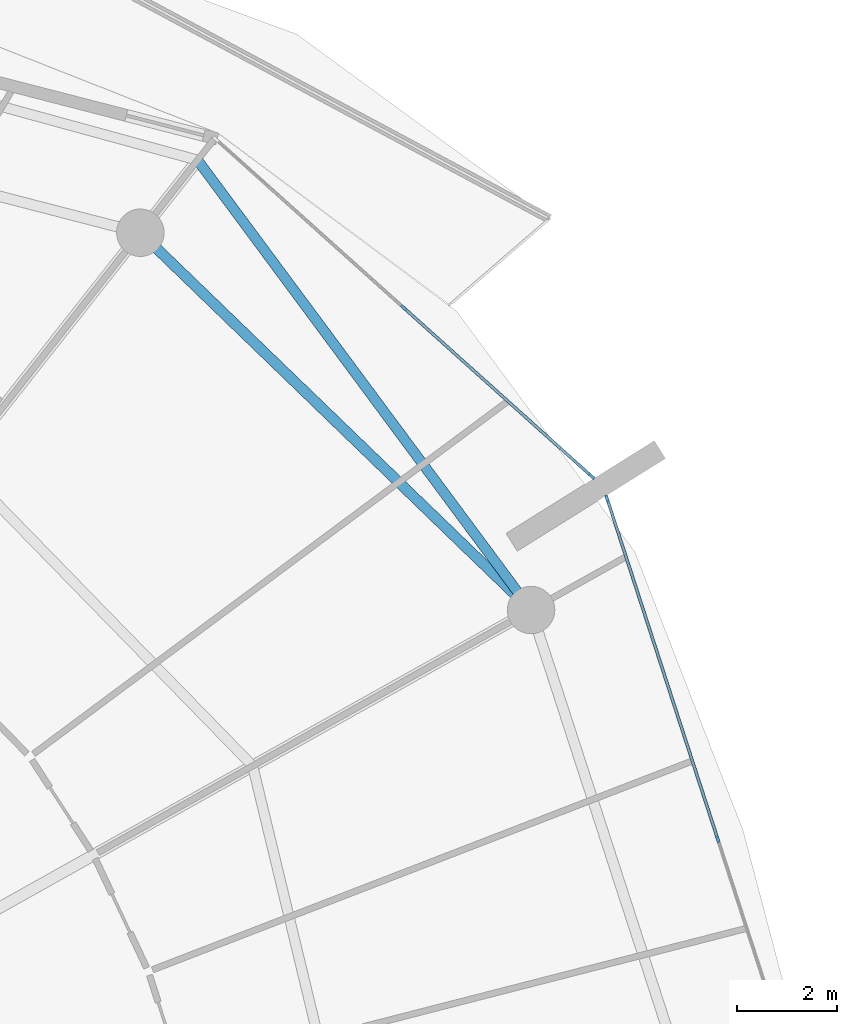
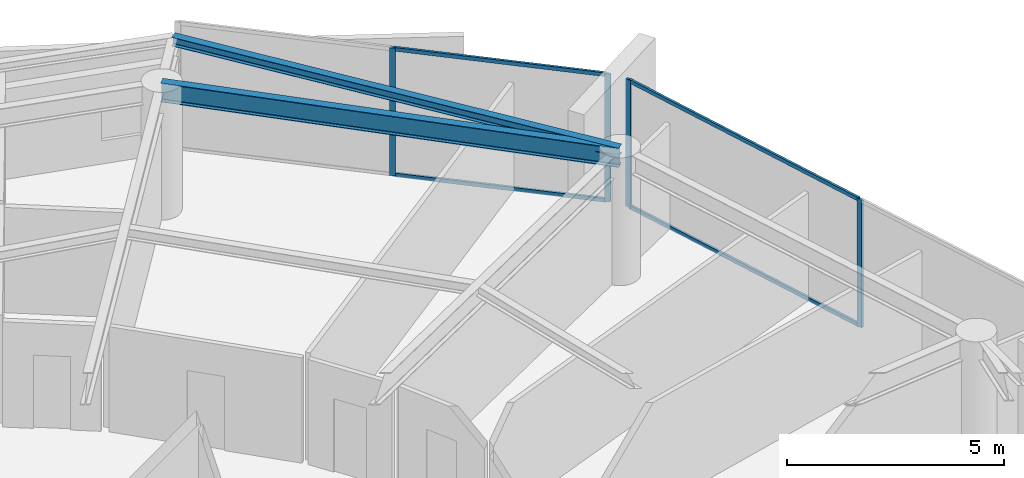
# One storey, part 15 of 30: 8 members, 2 beams, 2 elements without a shape of their own.
"""IFC4 building model written with IfcOpenShell, lengths in metres."""

from ifc_helpers import new_model, si_unit, direction, frame, origin, origin_2d, place, context, subcontext, project, spatial, rectangle, i_section, extrude, material, layer, layer_set, material_profile, profile_set, type_object, element, aggregate, save


model = new_model("IFC4")

# Units and contexts
model_context = context("Model", 3, precision=1e-05, world=origin(), true_north=direction((0.0, 1.0)))
body_context = subcontext(model_context, "Body", "Model", "MODEL_VIEW")
ifc_project = project(units=[si_unit("LENGTHUNIT", "METRE"), si_unit("AREAUNIT", "SQUARE_METRE"), si_unit("VOLUMEUNIT", "CUBIC_METRE"), si_unit("PLANEANGLEUNIT", "RADIAN"), si_unit("MASSUNIT", "GRAM", prefix="KILO")], contexts=[model_context])

# Site, building, storey
site_placement = place(None, origin())
site = spatial("IfcSite", under=ifc_project, at=site_placement, CompositionType="ELEMENT")
building_placement = place(site_placement, origin())
building = spatial("IfcBuilding", under=site, at=building_placement, Name="Kazma Halo Residences", CompositionType="ELEMENT")
storey_placement = place(building_placement, frame((0.0, 0.0, 294.449951171875)))
storey = spatial("IfcBuildingStorey", under=building, at=storey_placement, Name="L74", CompositionType="ELEMENT", Elevation=294.449951171875)

# Beams
ifc_material_1 = material(Name="Steel S355", Category="steel")
ifc_material_profile_1 = material_profile(ifc_material_1, i_section(OverallWidth=0.201904296875, OverallDepth=0.2470703125, WebThickness=0.00732421875, FlangeThickness=0.010986328125, FilletRadius=0.011962890625, at=origin_2d()), Name="W250x49.1")
ifc_profile_set_1 = profile_set([ifc_material_profile_1], Name="Steel S355")
beam_type_1 = type_object("IfcBeamType", Name="BM-BAL-CANT", PredefinedType="BEAM", material=ifc_profile_set_1)
beam_1_placement = place(storey_placement, frame((72.67041015625, 55.81591796875, 3.466552734375), z_axis=(-0.595556062515, 0.803313747176, 0.0), x_axis=(-0.803313747176, -0.595556062515, 0.0)))
element("IfcBeam", 1, at=beam_1_placement, inside=storey, type_object=beam_type_1, Name="L74 wave-balcony lead tie beam 01", PredefinedType="BEAM", context=body_context, shape_type="SweptSolid", body=[
    extrude(i_section(OverallWidth=0.201904296875, OverallDepth=0.2470703125, WebThickness=0.00732421875, FlangeThickness=0.010986328125, FilletRadius=0.011962890625, at=origin_2d()), origin(), (0.0, 0.0, 1.0), 11.213134765625),
])
ifc_material_profile_2 = material_profile(ifc_material_1, i_section(OverallWidth=0.208984375, OverallDepth=0.532958984375, WebThickness=0.01025390625, FlangeThickness=0.015625, FilletRadius=0.01611328125, at=origin_2d()), Name="W530x92")
ifc_profile_set_2 = profile_set([ifc_material_profile_2], Name="Steel S355")
beam_type_2 = type_object("IfcBeamType", Name="BM-SPN-W530", PredefinedType="BEAM", material=ifc_profile_set_2)
beam_2_placement = place(storey_placement, frame((72.67041015625, 55.81591796875, 3.323486328125), z_axis=(-0.719345757929, 0.694652201141, 0.0), x_axis=(-0.694652201141, -0.719345757929, 0.0)))
element("IfcBeam", 2, at=beam_2_placement, inside=storey, type_object=beam_type_2, Name="L74 perimeter ring beam 01", PredefinedType="BEAM", context=body_context, shape_type="SweptSolid", body=[
    extrude(i_section(OverallWidth=0.208984375, OverallDepth=0.532958984375, WebThickness=0.01025390625, FlangeThickness=0.015625, FilletRadius=0.01611328125, at=origin_2d()), origin(), (0.0, 0.0, 1.0), 10.87548828125),
])

# Curtain wall, members
ifc_material_2 = material(Name="Aluminium AW-6063 T6 and Triple-Silver Low-E Glass", Category="aluminium")
ifc_layer = layer(ifc_material_2, 0.139892578125)
ifc_layer_set = layer_set([ifc_layer], Name="Aluminium AW-6063 T6 and Triple-Silver Low-E Glass")
curtain_wall_type = type_object("IfcCurtainWallType", Name="CW-SYS-5", PredefinedType="NOTDEFINED", material=ifc_layer_set)
curtain_wall_1_placement = place(storey_placement, origin())
curtain_wall_1 = element("IfcCurtainWall", 3, at=curtain_wall_1_placement, inside=storey, type_object=curtain_wall_type, Name="L74 unitised curtain wall B01", PredefinedType="NOTDEFINED")
ifc_material_3 = material(Name="Aluminium AW-6063 T6", Category="aluminium")
ifc_material_profile_3 = material_profile(ifc_material_3, rectangle(XDim=0.06005859375, YDim=0.139892578125, at=origin_2d()), Name="CWM-60x140")
ifc_profile_set_3 = profile_set([ifc_material_profile_3], Name="Aluminium AW-6063 T6")
member_type_1 = type_object("IfcMemberType", Name="CW-SYS-5-MUL", PredefinedType="MULLION", material=ifc_profile_set_3)
member_1_placement = place(storey_placement, frame((73.88330078125, 58.491943359375, 0.0), z_axis=(0.0, 0.0, 1.0), x_axis=(-0.667804826958, -0.744336424671, 0.0)))
member_1 = element("IfcMember", 4, at=member_1_placement, type_object=member_type_1, Name="CWS-5 mullion 1", PredefinedType="MULLION", context=body_context, shape_type="SweptSolid", body=[
    extrude(rectangle(XDim=0.06005859375, YDim=0.139892578125, at=origin_2d()), origin(), (0.0, 0.0, 1.0), 3.590087890625),
])
member_2_placement = place(storey_placement, frame((70.121826171875, 61.86669921875, 0.0), z_axis=(0.0, 0.0, 1.0), x_axis=(-0.667804826958, -0.744336424671, 0.0)))
member_2 = element("IfcMember", 5, at=member_2_placement, type_object=member_type_1, Name="CWS-5 mullion 2", PredefinedType="MULLION", context=body_context, shape_type="SweptSolid", body=[
    extrude(rectangle(XDim=0.06005859375, YDim=0.139892578125, at=origin_2d()), origin(), (0.0, 0.0, 1.0), 3.590087890625),
])

curtain_wall_2_placement = place(storey_placement, origin())
curtain_wall_2 = element("IfcCurtainWall", 6, at=curtain_wall_2_placement, inside=storey, type_object=curtain_wall_type, Name="L74 unitised curtain wall B16", PredefinedType="NOTDEFINED")
member_3_placement = place(storey_placement, frame((76.40771484375, 51.230224609375, 0.0), z_axis=(0.0, 0.0, 1.0), x_axis=(-0.951058464359, -0.309010998786, 0.0)))
member_3 = element("IfcMember", 7, at=member_3_placement, type_object=member_type_1, Name="CWS-5 mullion 2", PredefinedType="MULLION", context=body_context, shape_type="SweptSolid", body=[
    extrude(rectangle(XDim=0.06005859375, YDim=0.139892578125, at=origin_2d()), origin(), (0.0, 0.0, 1.0), 3.590087890625),
])
member_4_placement = place(storey_placement, frame((74.1923828125, 58.0478515625, 0.0), z_axis=(0.0, 0.0, 1.0), x_axis=(-0.951058464359, -0.309010998786, 0.0)))
member_4 = element("IfcMember", 8, at=member_4_placement, type_object=member_type_1, Name="CWS-5 mullion 3", PredefinedType="MULLION", context=body_context, shape_type="SweptSolid", body=[
    extrude(rectangle(XDim=0.06005859375, YDim=0.139892578125, at=origin_2d()), origin(), (0.0, 0.0, 1.0), 3.590087890625),
])

# Member
ifc_material_profile_4 = material_profile(ifc_material_3, rectangle(XDim=0.06005859375, YDim=0.10498046875, at=origin_2d()), Name="CWT-60x105")
ifc_profile_set_4 = profile_set([ifc_material_profile_4], Name="Aluminium AW-6063 T6")
member_type_2 = type_object("IfcMemberType", Name="CW-SYS-5-TRN", PredefinedType="USERDEFINED", material=ifc_profile_set_4)
member_5_placement = place(storey_placement, frame((73.861083984375, 58.511962890625, 0.030029296875), z_axis=(-0.744328897483, 0.667813216679, 0.0), x_axis=(-0.667813216679, -0.744328897483, 0.0)))
member_5 = element("IfcMember", 9, at=member_5_placement, type_object=member_type_2, Name="CWS-5 transom 1.1", ObjectType="TRANSOM", PredefinedType="USERDEFINED", context=body_context, shape_type="SweptSolid", body=[
    extrude(rectangle(XDim=0.06005859375, YDim=0.10498046875, at=origin_2d()), origin(), (0.0, 0.0, 1.0), 4.993408203125),
])

member_6_placement = place(storey_placement, frame((73.861083984375, 58.511962890625, 3.56005859375), z_axis=(-0.744328897483, 0.667813216679, 0.0), x_axis=(-0.667813216679, -0.744328897483, 0.0)))
member_6 = element("IfcMember", 10, at=member_6_placement, type_object=member_type_2, Name="CWS-5 transom 1.2", ObjectType="TRANSOM", PredefinedType="USERDEFINED", context=body_context, shape_type="SweptSolid", body=[
    extrude(rectangle(XDim=0.06005859375, YDim=0.10498046875, at=origin_2d()), origin(), (0.0, 0.0, 1.0), 4.993408203125),
])

aggregate(curtain_wall_1, [member_1, member_2, member_5, member_6])

member_7_placement = place(storey_placement, frame((76.3984375, 51.2587890625, 0.030029296875), z_axis=(-0.309027052142, 0.95105324827, 0.0), x_axis=(-0.95105324827, -0.309027052142, 0.0)))
member_7 = element("IfcMember", 11, at=member_7_placement, type_object=member_type_2, Name="CWS-5 transom 2.1", ObjectType="TRANSOM", PredefinedType="USERDEFINED", context=body_context, shape_type="SweptSolid", body=[
    extrude(rectangle(XDim=0.06005859375, YDim=0.10498046875, at=origin_2d()), origin(), (0.0, 0.0, 1.0), 7.108642578125),
])

member_8_placement = place(storey_placement, frame((76.3984375, 51.2587890625, 3.56005859375), z_axis=(-0.309027052142, 0.95105324827, 0.0), x_axis=(-0.95105324827, -0.309027052142, 0.0)))
member_8 = element("IfcMember", 12, at=member_8_placement, type_object=member_type_2, Name="CWS-5 transom 2.2", ObjectType="TRANSOM", PredefinedType="USERDEFINED", context=body_context, shape_type="SweptSolid", body=[
    extrude(rectangle(XDim=0.06005859375, YDim=0.10498046875, at=origin_2d()), origin(), (0.0, 0.0, 1.0), 7.108642578125),
])

aggregate(curtain_wall_2, [member_3, member_4, member_7, member_8])

save(model, "model.ifc")
